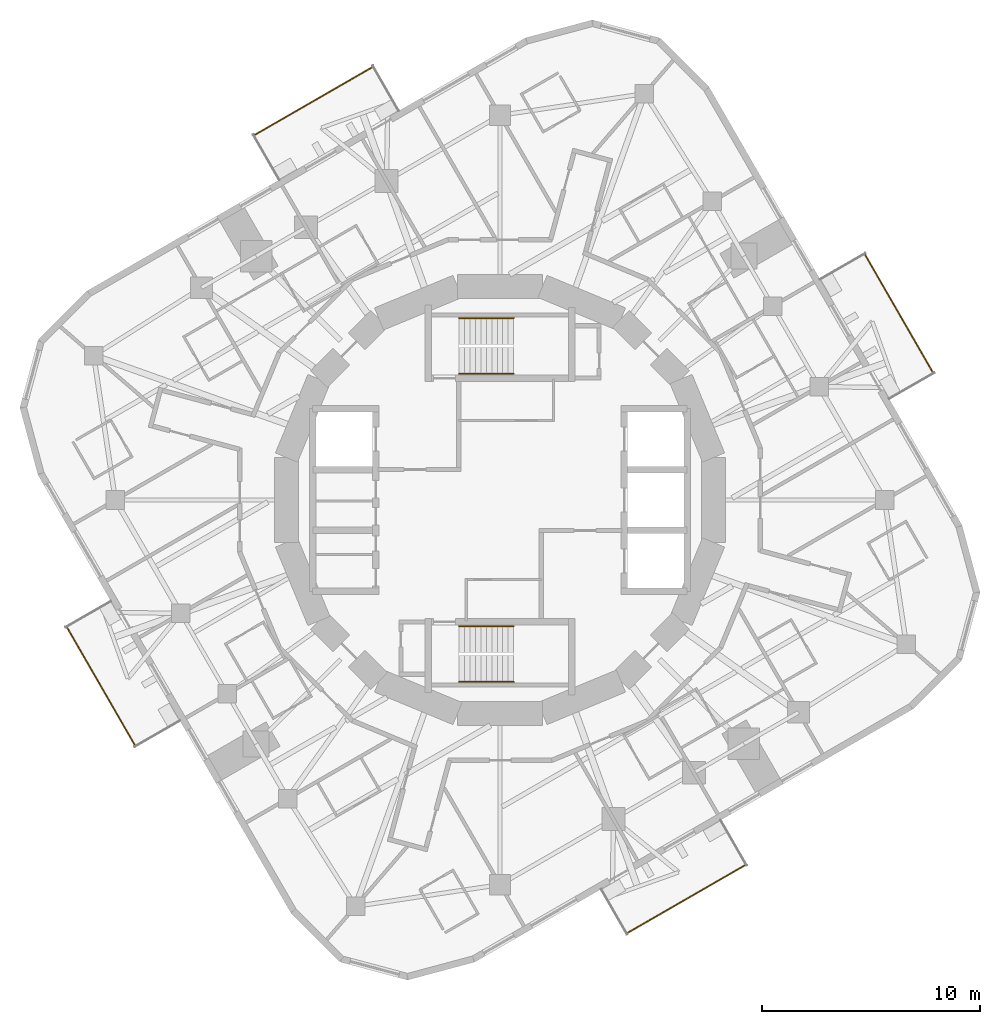
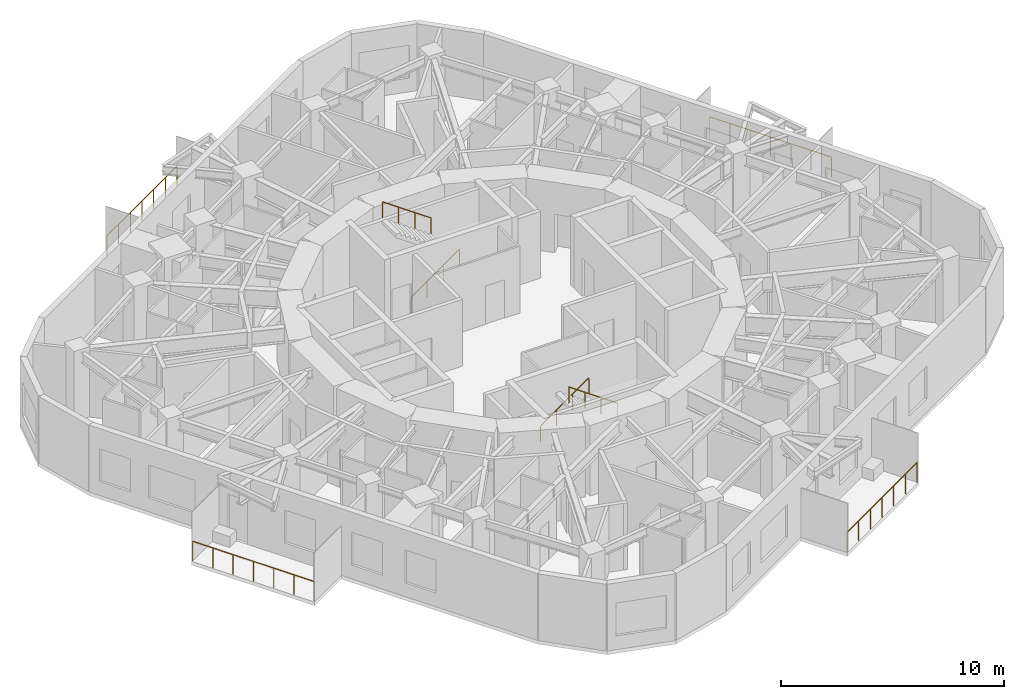
# One storey, part 11 of 12: 8 railings.
"""IFC4 building model written with IfcOpenShell, lengths in metres."""

from ifc_helpers import new_model, si_unit, direction, frame, origin, origin_2d, place, context, subcontext, project, spatial, circle, extrude, material, type_object, element, save


model = new_model("IFC4")

# Units and contexts
model_context = context("Model", 3, precision=1e-05, world=origin(), true_north=direction((0.0, 1.0)))
body_context = subcontext(model_context, "Body", "Model", "MODEL_VIEW")
ifc_project = project(units=[si_unit("LENGTHUNIT", "METRE"), si_unit("AREAUNIT", "SQUARE_METRE"), si_unit("VOLUMEUNIT", "CUBIC_METRE"), si_unit("PLANEANGLEUNIT", "RADIAN"), si_unit("MASSUNIT", "GRAM", prefix="KILO")], contexts=[model_context])

# Site, building, storey
site_placement = place(None, origin())
site = spatial("IfcSite", under=ifc_project, at=site_placement, CompositionType="ELEMENT")
building_placement = place(site_placement, origin())
building = spatial("IfcBuilding", under=site, at=building_placement, Name="Nakasero Lantern House", CompositionType="ELEMENT")
storey_placement = place(building_placement, frame((0.0, 0.0, 226.949951171875)))
storey = spatial("IfcBuildingStorey", under=building, at=storey_placement, Name="L55", CompositionType="ELEMENT", Elevation=226.949951171875)

# Railings
ifc_material_1 = material(Name="Aluminium 6063-T6", Category="aluminium")
railing_type_1 = type_object("IfcRailingType", Name="Balcony guard 1100", PredefinedType="BALUSTRADE", material=ifc_material_1)
railing_1_placement = place(storey_placement, frame((19.894775390625, 5.84130859375, 0.0)))
element("IfcRailing", 1, at=railing_1_placement, inside=storey, type_object=railing_type_1, Name="Balcony guard L55 BAL0", PredefinedType="BALUSTRADE", context=body_context, shape_type="SweptSolid", body=[
    extrude(circle(Radius=0.02392578125, at=origin_2d()), frame((0.0, 0.0, 1.076171875), z_axis=(-0.500007975732, 0.866020798945, 0.0), x_axis=(-0.866020798945, -0.500007975732, 0.0)), (0.0, 0.0, 1.0), 6.29150390625),
    extrude(circle(Radius=0.02099609375, at=origin_2d()), origin(), (0.0, 0.0, 1.0), 1.052001953125),
    extrude(circle(Radius=0.02099609375, at=origin_2d()), frame((-0.5244140625, 0.908203125, 0.0)), (0.0, 0.0, 1.0), 1.052001953125),
    extrude(circle(Radius=0.02099609375, at=origin_2d()), frame((-1.048583984375, 1.816162109375, 0.0)), (0.0, 0.0, 1.0), 1.052001953125),
    extrude(circle(Radius=0.02099609375, at=origin_2d()), frame((-1.57275390625, 2.72412109375, 0.0)), (0.0, 0.0, 1.0), 1.052001953125),
    extrude(circle(Radius=0.02099609375, at=origin_2d()), frame((-2.09716796875, 3.63232421875, 0.0)), (0.0, 0.0, 1.0), 1.052001953125),
    extrude(circle(Radius=0.02099609375, at=origin_2d()), frame((-2.62158203125, 4.54052734375, 0.0)), (0.0, 0.0, 1.0), 1.052001953125),
    extrude(circle(Radius=0.02099609375, at=origin_2d()), frame((-3.145751953125, 5.448486328125, 0.0)), (0.0, 0.0, 1.0), 1.052001953125),
])
railing_2_placement = place(storey_placement, frame((-5.84130859375, 19.894775390625, 0.0)))
element("IfcRailing", 2, at=railing_2_placement, inside=storey, type_object=railing_type_1, Name="Balcony guard L55 BAL1", PredefinedType="BALUSTRADE", context=body_context, shape_type="SweptSolid", body=[
    extrude(circle(Radius=0.02392578125, at=origin_2d()), frame((0.0, 0.0, 1.076171875), z_axis=(-0.866020798945, -0.500007975732, 0.0), x_axis=(0.500007975732, -0.866020798945, 0.0)), (0.0, 0.0, 1.0), 6.29150390625),
    extrude(circle(Radius=0.02099609375, at=origin_2d()), origin(), (0.0, 0.0, 1.0), 1.052001953125),
    extrude(circle(Radius=0.02099609375, at=origin_2d()), frame((-0.908203125, -0.5244140625, 0.0)), (0.0, 0.0, 1.0), 1.052001953125),
    extrude(circle(Radius=0.02099609375, at=origin_2d()), frame((-1.816162109375, -1.048583984375, 0.0)), (0.0, 0.0, 1.0), 1.052001953125),
    extrude(circle(Radius=0.02099609375, at=origin_2d()), frame((-2.72412109375, -1.57275390625, 0.0)), (0.0, 0.0, 1.0), 1.052001953125),
    extrude(circle(Radius=0.02099609375, at=origin_2d()), frame((-3.63232421875, -2.09716796875, 0.0)), (0.0, 0.0, 1.0), 1.052001953125),
    extrude(circle(Radius=0.02099609375, at=origin_2d()), frame((-4.54052734375, -2.62158203125, 0.0)), (0.0, 0.0, 1.0), 1.052001953125),
    extrude(circle(Radius=0.02099609375, at=origin_2d()), frame((-5.448486328125, -3.145751953125, 0.0)), (0.0, 0.0, 1.0), 1.052001953125),
])
railing_3_placement = place(storey_placement, frame((-19.894775390625, -5.84130859375, 0.0)))
element("IfcRailing", 3, at=railing_3_placement, inside=storey, type_object=railing_type_1, Name="Balcony guard L55 BAL2", PredefinedType="BALUSTRADE", context=body_context, shape_type="SweptSolid", body=[
    extrude(circle(Radius=0.02392578125, at=origin_2d()), frame((0.0, 0.0, 1.076171875), z_axis=(0.500007975732, -0.866020798945, 0.0), x_axis=(0.866020798945, 0.500007975732, 0.0)), (0.0, 0.0, 1.0), 6.29150390625),
    extrude(circle(Radius=0.02099609375, at=origin_2d()), origin(), (0.0, 0.0, 1.0), 1.052001953125),
    extrude(circle(Radius=0.02099609375, at=origin_2d()), frame((0.5244140625, -0.908203125, 0.0)), (0.0, 0.0, 1.0), 1.052001953125),
    extrude(circle(Radius=0.02099609375, at=origin_2d()), frame((1.048583984375, -1.816162109375, 0.0)), (0.0, 0.0, 1.0), 1.052001953125),
    extrude(circle(Radius=0.02099609375, at=origin_2d()), frame((1.57275390625, -2.72412109375, 0.0)), (0.0, 0.0, 1.0), 1.052001953125),
    extrude(circle(Radius=0.02099609375, at=origin_2d()), frame((2.09716796875, -3.63232421875, 0.0)), (0.0, 0.0, 1.0), 1.052001953125),
    extrude(circle(Radius=0.02099609375, at=origin_2d()), frame((2.62158203125, -4.54052734375, 0.0)), (0.0, 0.0, 1.0), 1.052001953125),
    extrude(circle(Radius=0.02099609375, at=origin_2d()), frame((3.145751953125, -5.448486328125, 0.0)), (0.0, 0.0, 1.0), 1.052001953125),
])
railing_4_placement = place(storey_placement, frame((5.84130859375, -19.894775390625, 0.0)))
element("IfcRailing", 4, at=railing_4_placement, inside=storey, type_object=railing_type_1, Name="Balcony guard L55 BAL3", PredefinedType="BALUSTRADE", context=body_context, shape_type="SweptSolid", body=[
    extrude(circle(Radius=0.02392578125, at=origin_2d()), frame((0.0, 0.0, 1.076171875), z_axis=(0.866020798945, 0.500007975732, 0.0), x_axis=(-0.500007975732, 0.866020798945, 0.0)), (0.0, 0.0, 1.0), 6.29150390625),
    extrude(circle(Radius=0.02099609375, at=origin_2d()), origin(), (0.0, 0.0, 1.0), 1.052001953125),
    extrude(circle(Radius=0.02099609375, at=origin_2d()), frame((0.908203125, 0.5244140625, 0.0)), (0.0, 0.0, 1.0), 1.052001953125),
    extrude(circle(Radius=0.02099609375, at=origin_2d()), frame((1.816162109375, 1.048583984375, 0.0)), (0.0, 0.0, 1.0), 1.052001953125),
    extrude(circle(Radius=0.02099609375, at=origin_2d()), frame((2.72412109375, 1.57275390625, 0.0)), (0.0, 0.0, 1.0), 1.052001953125),
    extrude(circle(Radius=0.02099609375, at=origin_2d()), frame((3.63232421875, 2.09716796875, 0.0)), (0.0, 0.0, 1.0), 1.052001953125),
    extrude(circle(Radius=0.02099609375, at=origin_2d()), frame((4.54052734375, 2.62158203125, 0.0)), (0.0, 0.0, 1.0), 1.052001953125),
    extrude(circle(Radius=0.02099609375, at=origin_2d()), frame((5.448486328125, 3.145751953125, 0.0)), (0.0, 0.0, 1.0), 1.052001953125),
])
ifc_material_2 = material(Name="Stainless steel 316", Category="steel")
railing_type_2 = type_object("IfcRailingType", Name="Stair handrail 900", PredefinedType="HANDRAIL", material=ifc_material_2)
railing_5_placement = place(storey_placement, frame((-1.875, 5.800048828125, 0.175048828125)))
element("IfcRailing", 5, at=railing_5_placement, inside=storey, type_object=railing_type_2, Name="Handrail ST1 L55 flight 1", PredefinedType="HANDRAIL", context=body_context, shape_type="SweptSolid", body=[
    extrude(circle(Radius=0.02392578125, at=origin_2d()), frame((0.0, 0.0, 0.8759765625), z_axis=(0.819231920519, 0.0, 0.573462344363), x_axis=(0.0, 1.0, 0.0)), (0.0, 0.0, 1.0), 3.0517578125),
    extrude(circle(Radius=0.02099609375, at=origin_2d()), origin(), (0.0, 0.0, 1.0), 0.851806640625),
    extrude(circle(Radius=0.02099609375, at=origin_2d()), frame((0.833251953125, 0.0, 0.583251953125)), (0.0, 0.0, 1.0), 0.851806640625),
    extrude(circle(Radius=0.02099609375, at=origin_2d()), frame((1.666748046875, 0.0, 1.166748046875)), (0.0, 0.0, 1.0), 0.851806640625),
    extrude(circle(Radius=0.02099609375, at=origin_2d()), frame((2.5, 0.0, 1.75)), (0.0, 0.0, 1.0), 0.851806640625),
])
railing_6_placement = place(storey_placement, frame((0.625, 8.35009765625, 2.10009765625)))
element("IfcRailing", 6, at=railing_6_placement, inside=storey, type_object=railing_type_2, Name="Handrail ST1 L55 flight 2", PredefinedType="HANDRAIL", context=body_context, shape_type="SweptSolid", body=[
    extrude(circle(Radius=0.02392578125, at=origin_2d()), frame((0.0, 0.0, 0.8759765625), z_axis=(-0.819231920519, 0.0, 0.573462344363), x_axis=(0.0, -1.0, 0.0)), (0.0, 0.0, 1.0), 3.0517578125),
    extrude(circle(Radius=0.02099609375, at=origin_2d()), origin(), (0.0, 0.0, 1.0), 0.851806640625),
    extrude(circle(Radius=0.02099609375, at=origin_2d()), frame((-0.833251953125, 0.0, 0.583251953125)), (0.0, 0.0, 1.0), 0.851806640625),
    extrude(circle(Radius=0.02099609375, at=origin_2d()), frame((-1.666748046875, 0.0, 1.166748046875)), (0.0, 0.0, 1.0), 0.851806640625),
    extrude(circle(Radius=0.02099609375, at=origin_2d()), frame((-2.5, 0.0, 1.75)), (0.0, 0.0, 1.0), 0.851806640625),
])
railing_7_placement = place(storey_placement, frame((-1.875, -5.800048828125, 0.175048828125)))
element("IfcRailing", 7, at=railing_7_placement, inside=storey, type_object=railing_type_2, Name="Handrail ST2 L55 flight 1", PredefinedType="HANDRAIL", context=body_context, shape_type="SweptSolid", body=[
    extrude(circle(Radius=0.02392578125, at=origin_2d()), frame((0.0, 0.0, 0.8759765625), z_axis=(0.819231920519, 0.0, 0.573462344363), x_axis=(0.0, 1.0, 0.0)), (0.0, 0.0, 1.0), 3.0517578125),
    extrude(circle(Radius=0.02099609375, at=origin_2d()), origin(), (0.0, 0.0, 1.0), 0.851806640625),
    extrude(circle(Radius=0.02099609375, at=origin_2d()), frame((0.833251953125, 0.0, 0.583251953125)), (0.0, 0.0, 1.0), 0.851806640625),
    extrude(circle(Radius=0.02099609375, at=origin_2d()), frame((1.666748046875, 0.0, 1.166748046875)), (0.0, 0.0, 1.0), 0.851806640625),
    extrude(circle(Radius=0.02099609375, at=origin_2d()), frame((2.5, 0.0, 1.75)), (0.0, 0.0, 1.0), 0.851806640625),
])
railing_8_placement = place(storey_placement, frame((0.625, -8.35009765625, 2.10009765625)))
element("IfcRailing", 8, at=railing_8_placement, inside=storey, type_object=railing_type_2, Name="Handrail ST2 L55 flight 2", PredefinedType="HANDRAIL", context=body_context, shape_type="SweptSolid", body=[
    extrude(circle(Radius=0.02392578125, at=origin_2d()), frame((0.0, 0.0, 0.8759765625), z_axis=(-0.819231920519, 0.0, 0.573462344363), x_axis=(0.0, -1.0, 0.0)), (0.0, 0.0, 1.0), 3.0517578125),
    extrude(circle(Radius=0.02099609375, at=origin_2d()), origin(), (0.0, 0.0, 1.0), 0.851806640625),
    extrude(circle(Radius=0.02099609375, at=origin_2d()), frame((-0.833251953125, 0.0, 0.583251953125)), (0.0, 0.0, 1.0), 0.851806640625),
    extrude(circle(Radius=0.02099609375, at=origin_2d()), frame((-1.666748046875, 0.0, 1.166748046875)), (0.0, 0.0, 1.0), 0.851806640625),
    extrude(circle(Radius=0.02099609375, at=origin_2d()), frame((-2.5, 0.0, 1.75)), (0.0, 0.0, 1.0), 0.851806640625),
])

save(model, "model.ifc")
